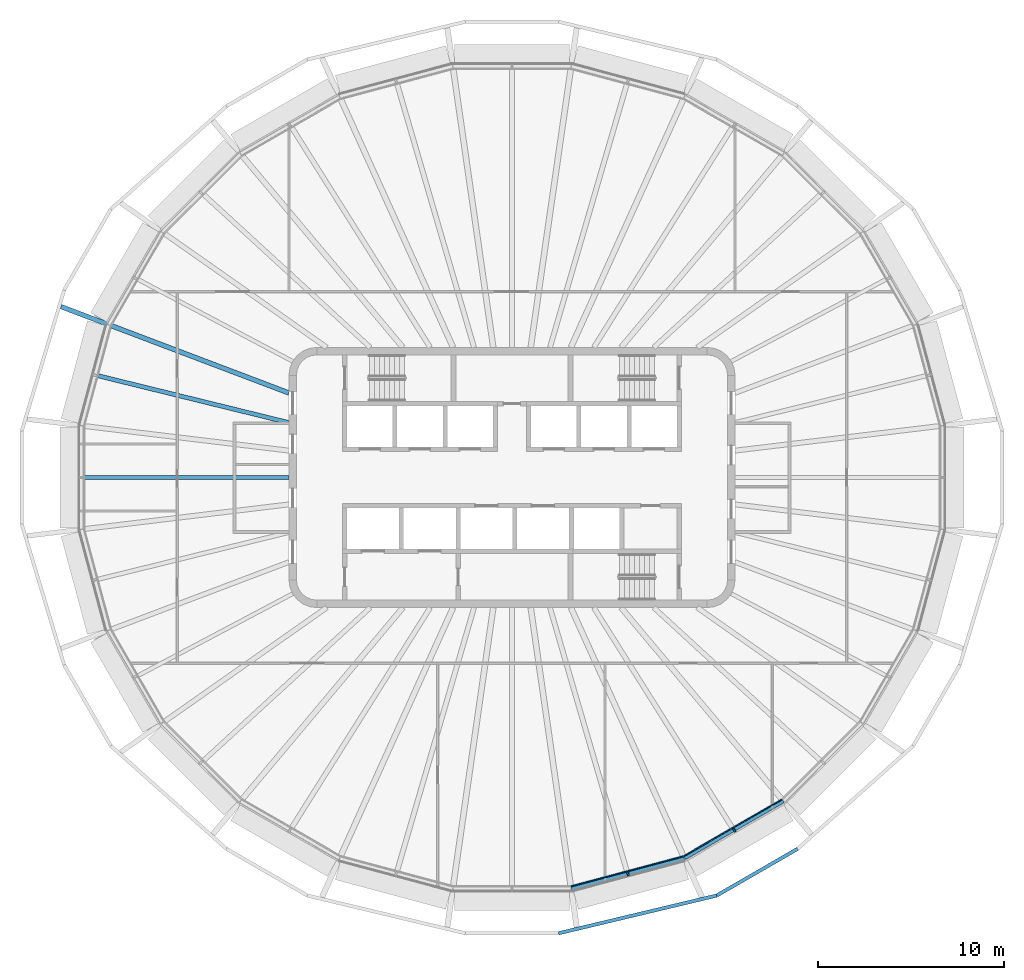
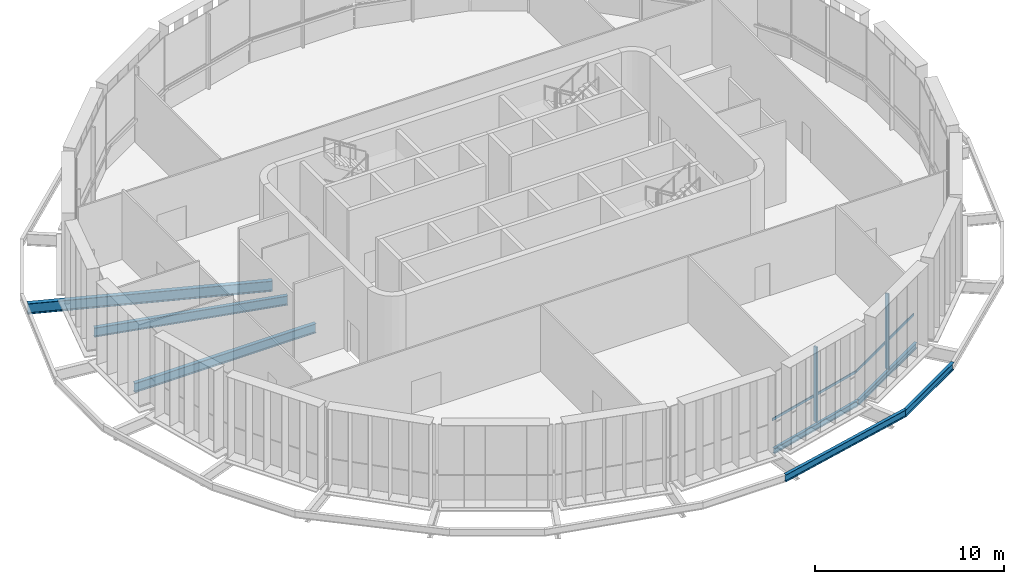
# One storey, part 2 of 16: 7 beams, 4 members, 2 elements without a shape of their own.
"""IFC4 building model written with IfcOpenShell, lengths in metres."""

from ifc_helpers import new_model, si_unit, direction, frame, origin, origin_2d, place, context, subcontext, project, spatial, rectangle, i_section, extrude, material, layer, layer_set, material_profile, profile_set, type_object, element, aggregate, save


model = new_model("IFC4")

# Units and contexts
model_context = context("Model", 3, precision=1e-05, world=origin(), true_north=direction((0.0, 1.0)))
body_context = subcontext(model_context, "Body", "Model", "MODEL_VIEW")
ifc_project = project(units=[si_unit("LENGTHUNIT", "METRE"), si_unit("AREAUNIT", "SQUARE_METRE"), si_unit("VOLUMEUNIT", "CUBIC_METRE"), si_unit("PLANEANGLEUNIT", "RADIAN"), si_unit("MASSUNIT", "GRAM", prefix="KILO")], contexts=[model_context])

# Site, building, storey
site_placement = place(None, origin())
site = spatial("IfcSite", under=ifc_project, at=site_placement, CompositionType="ELEMENT")
building_placement = place(site_placement, origin())
building = spatial("IfcBuilding", under=site, at=building_placement, Name="Sahrelin Media Tower", CompositionType="ELEMENT")
storey_placement = place(building_placement, frame((0.0, 0.0, 324.39990234375)))
storey = spatial("IfcBuildingStorey", under=building, at=storey_placement, Name="L72", CompositionType="ELEMENT", Elevation=324.39990234375)

# Beams
ifc_material_1 = material(Name="Steel S355", Category="steel")
ifc_material_profile_1 = material_profile(ifc_material_1, i_section(OverallWidth=0.17138671875, OverallDepth=0.35498046875, WebThickness=0.00732421875, FlangeThickness=0.011474609375, FilletRadius=0.01025390625, at=origin_2d()), Name="UB 356x171x51")
ifc_profile_set_1 = profile_set([ifc_material_profile_1], Name="Steel S355")
beam_type_1 = type_object("IfcBeamType", Name="Edge beam EB3", PredefinedType="BEAM", material=ifc_profile_set_1)
beam_1_placement = place(storey_placement, frame((14.59619140625, -17.416015625, -0.327392578125), z_axis=(-0.866016979766, -0.500014590545, 0.0), x_axis=(0.500014590545, -0.866016979766, 0.0)))
element("IfcBeam", 1, at=beam_1_placement, inside=storey, type_object=beam_type_1, Name="Edge beam L72-05", PredefinedType="BEAM", context=body_context, shape_type="SweptSolid", body=[
    extrude(i_section(OverallWidth=0.17138671875, OverallDepth=0.35498046875, WebThickness=0.00732421875, FlangeThickness=0.011474609375, FilletRadius=0.01025390625, at=origin_2d()), origin(), (0.0, 0.0, 1.0), 6.124755859375),
])
beam_2_placement = place(storey_placement, frame((9.265380859375, -20.489501953125, -0.327392578125), z_axis=(-0.965931048649, -0.258799554202, 0.0), x_axis=(0.258799554202, -0.965931048649, 0.0)))
element("IfcBeam", 2, at=beam_2_placement, inside=storey, type_object=beam_type_1, Name="Edge beam L72-06", PredefinedType="BEAM", context=body_context, shape_type="SweptSolid", body=[
    extrude(i_section(OverallWidth=0.17138671875, OverallDepth=0.35498046875, WebThickness=0.00732421875, FlangeThickness=0.011474609375, FilletRadius=0.01025390625, at=origin_2d()), origin(), (0.0, 0.0, 1.0), 6.28076171875),
])

# Curtain wall, member
ifc_material_2 = material(Name="Champagne anodised aluminium 6063-T6", Category="aluminium")
ifc_layer = layer(ifc_material_2, 0.14990234375)
ifc_layer_set = layer_set([ifc_layer], Name="Observation curtain wall")
curtain_wall_type = type_object("IfcCurtainWallType", Name="Observation curtain wall", PredefinedType="NOTDEFINED", material=ifc_layer_set)
curtain_wall_1_placement = place(storey_placement, frame((6.270751953125, -21.447021484375, 0.0), z_axis=(0.0, 0.0, 1.0), x_axis=(1.0, 0.0, 0.0)))
curtain_wall_1 = element("IfcCurtainWall", 3, at=curtain_wall_1_placement, inside=storey, type_object=curtain_wall_type, Name="L72:CW:L72-19", PredefinedType="NOTDEFINED")
ifc_material_profile_2 = material_profile(ifc_material_2, rectangle(XDim=0.10009765625, YDim=0.22509765625, at=origin_2d()), Name="Mullion 100x225")
ifc_profile_set_2 = profile_set([ifc_material_profile_2], Name="Champagne anodised aluminium 6063-T6")
member_type_1 = type_object("IfcMemberType", Name="Mullion 100x225 CW3", PredefinedType="MULLION", material=ifc_profile_set_2)
member_1_placement = place(storey_placement, frame((6.236328125, -21.319091796875, 0.0), z_axis=(0.0, 0.0, 1.0), x_axis=(0.965925374563, 0.258820730961, 0.0)))
member_1 = element("IfcMember", 4, at=member_1_placement, type_object=member_type_1, Name="L72:CWM:L72-19", PredefinedType="MULLION", context=body_context, shape_type="SweptSolid", body=[
    extrude(rectangle(XDim=0.10009765625, YDim=0.22509765625, at=origin_2d()), origin(), (0.0, 0.0, 1.0), 4.8486328125),
])

curtain_wall_2_placement = place(storey_placement, frame((12.01904296875, -19.0771484375, 0.0), z_axis=(0.0, 0.0, 1.0), x_axis=(1.0, 0.0, 0.0)))
curtain_wall_2 = element("IfcCurtainWall", 5, at=curtain_wall_2_placement, inside=storey, type_object=curtain_wall_type, Name="L72:CW:L72-20", PredefinedType="NOTDEFINED")
member_2_placement = place(storey_placement, frame((11.952880859375, -18.96240234375, 0.0), z_axis=(0.0, 0.0, 1.0), x_axis=(0.866026276448, 0.4999984885, 0.0)))
member_2 = element("IfcMember", 6, at=member_2_placement, type_object=member_type_1, Name="L72:CWM:L72-20", PredefinedType="MULLION", context=body_context, shape_type="SweptSolid", body=[
    extrude(rectangle(XDim=0.10009765625, YDim=0.22509765625, at=origin_2d()), origin(), (0.0, 0.0, 1.0), 4.8486328125),
])

# Beams
ifc_material_profile_3 = material_profile(ifc_material_1, i_section(OverallWidth=0.2529296875, OverallDepth=0.677978515625, WebThickness=0.01171875, FlangeThickness=0.01611328125, FilletRadius=0.01513671875, at=origin_2d()), Name="UB 686x254x125")
ifc_profile_set_3 = profile_set([ifc_material_profile_3], Name="Steel S355")
beam_type_2 = type_object("IfcBeamType", Name="Radial primary beam PB8", PredefinedType="BEAM", material=ifc_profile_set_3)
beam_3_placement = place(storey_placement, frame((-12.0, 4.547607421875, -0.489013671875), z_axis=(-0.935113928602, 0.354347203368, 0.0), x_axis=(-0.354347203368, -0.935113928602, 0.0)))
element("IfcBeam", 7, at=beam_3_placement, inside=storey, type_object=beam_type_2, Name="Radial beam L72-11", PredefinedType="BEAM", context=body_context, shape_type="SweptSolid", body=[
    extrude(i_section(OverallWidth=0.2529296875, OverallDepth=0.677978515625, WebThickness=0.01171875, FlangeThickness=0.01611328125, FilletRadius=0.01513671875, at=origin_2d()), origin(), (0.0, 0.0, 1.0), 13.11279296875),
])
ifc_material_profile_4 = material_profile(ifc_material_1, i_section(OverallWidth=0.2275390625, OverallDepth=0.6025390625, WebThickness=0.010498046875, FlangeThickness=0.014892578125, FilletRadius=0.0126953125, at=origin_2d()), Name="UB 610x229x101")
ifc_profile_set_4 = profile_set([ifc_material_profile_4], Name="Steel S355")
beam_type_3 = type_object("IfcBeamType", Name="Radial secondary beam SB7", PredefinedType="BEAM", material=ifc_profile_set_4)
beam_4_placement = place(storey_placement, frame((-12.0, 2.949951171875, -0.451171875), z_axis=(-0.971089995685, 0.238713678452, 0.0), x_axis=(-0.238713678452, -0.971089995685, 0.0)))
element("IfcBeam", 8, at=beam_4_placement, inside=storey, type_object=beam_type_3, Name="Secondary beam L72-11", PredefinedType="BEAM", context=body_context, shape_type="SweptSolid", body=[
    extrude(i_section(OverallWidth=0.2275390625, OverallDepth=0.6025390625, WebThickness=0.010498046875, FlangeThickness=0.014892578125, FilletRadius=0.0126953125, at=origin_2d()), origin(), (0.0, 0.0, 1.0), 10.646728515625),
])
beam_5_placement = place(storey_placement, frame((-12.0, 0.0, -0.451171875), z_axis=(-1.0, 0.0, 0.0), x_axis=(0.0, -1.0, 0.0)))
element("IfcBeam", 9, at=beam_5_placement, inside=storey, type_object=beam_type_3, Name="Secondary beam L72-12", PredefinedType="BEAM", context=body_context, shape_type="SweptSolid", body=[
    extrude(i_section(OverallWidth=0.2275390625, OverallDepth=0.6025390625, WebThickness=0.010498046875, FlangeThickness=0.014892578125, FilletRadius=0.0126953125, at=origin_2d()), origin(), (0.0, 0.0, 1.0), 11.066650390625),
])
ifc_material_profile_5 = material_profile(ifc_material_1, i_section(OverallWidth=0.1904296875, OverallDepth=0.45703125, WebThickness=0.009033203125, FlangeThickness=0.014404296875, FilletRadius=0.01025390625, at=origin_2d()), Name="UB 457x191x74")
ifc_profile_set_5 = profile_set([ifc_material_profile_5], Name="Steel S355")
beam_type_4 = type_object("IfcBeamType", Name="Tie chord TC5", PredefinedType="BEAM", material=ifc_profile_set_5)
beam_6_placement = place(storey_placement, frame((2.508544921875, -24.517333984375, -0.37841796875), z_axis=(0.9726709397, 0.232187947715, 0.0), x_axis=(-0.232187947715, 0.9726709397, 0.0)))
element("IfcBeam", 10, at=beam_6_placement, inside=storey, type_object=beam_type_4, Name="Tie chord L72-19", PredefinedType="BEAM", context=body_context, shape_type="SweptSolid", body=[
    extrude(i_section(OverallWidth=0.1904296875, OverallDepth=0.45703125, WebThickness=0.009033203125, FlangeThickness=0.014404296875, FilletRadius=0.01025390625, at=origin_2d()), origin(), (0.0, 0.0, 1.0), 8.744140625),
])
beam_7_placement = place(storey_placement, frame((11.013671875, -22.487060546875, -0.37841796875), z_axis=(0.866015402684, 0.500017322015, 0.0), x_axis=(-0.500017322015, 0.866015402684, 0.0)))
element("IfcBeam", 11, at=beam_7_placement, inside=storey, type_object=beam_type_4, Name="Tie chord L72-20", PredefinedType="BEAM", context=body_context, shape_type="SweptSolid", body=[
    extrude(i_section(OverallWidth=0.1904296875, OverallDepth=0.45703125, WebThickness=0.009033203125, FlangeThickness=0.014404296875, FilletRadius=0.01025390625, at=origin_2d()), origin(), (0.0, 0.0, 1.0), 5.016845703125),
])

# Member
ifc_material_profile_6 = material_profile(ifc_material_2, rectangle(XDim=0.06005859375, YDim=0.159912109375, at=origin_2d()), Name="Transom 60x160")
ifc_profile_set_6 = profile_set([ifc_material_profile_6], Name="Champagne anodised aluminium 6063-T6")
member_type_2 = type_object("IfcMemberType", Name="Transom 60x160 CW3", PredefinedType="USERDEFINED", material=ifc_profile_set_6)
member_3_placement = place(storey_placement, frame((3.18115234375, -21.990234375, 1.60009765625), z_axis=(0.9659288707, 0.25880768294, 0.0), x_axis=(-0.25880768294, 0.9659288707, 0.0)))
member_3 = element("IfcMember", 12, at=member_3_placement, type_object=member_type_2, Name="L72:CWT:L72-19", ObjectType="TRANSOM", PredefinedType="USERDEFINED", context=body_context, shape_type="SweptSolid", body=[
    extrude(rectangle(XDim=0.06005859375, YDim=0.159912109375, at=origin_2d()), origin(), (0.0, 0.0, 1.0), 6.24951171875),
])

aggregate(curtain_wall_1, [member_1, member_3])

member_4_placement = place(storey_placement, frame((9.2431640625, -20.3623046875, 1.60009765625), z_axis=(0.866022779063, 0.500004546124, 0.0), x_axis=(-0.500004546124, 0.866022779063, 0.0)))
member_4 = element("IfcMember", 13, at=member_4_placement, type_object=member_type_2, Name="L72:CWT:L72-20", ObjectType="TRANSOM", PredefinedType="USERDEFINED", context=body_context, shape_type="SweptSolid", body=[
    extrude(rectangle(XDim=0.06005859375, YDim=0.159912109375, at=origin_2d()), origin(), (0.0, 0.0, 1.0), 6.09326171875),
])

aggregate(curtain_wall_2, [member_2, member_4])

save(model, "model.ifc")
